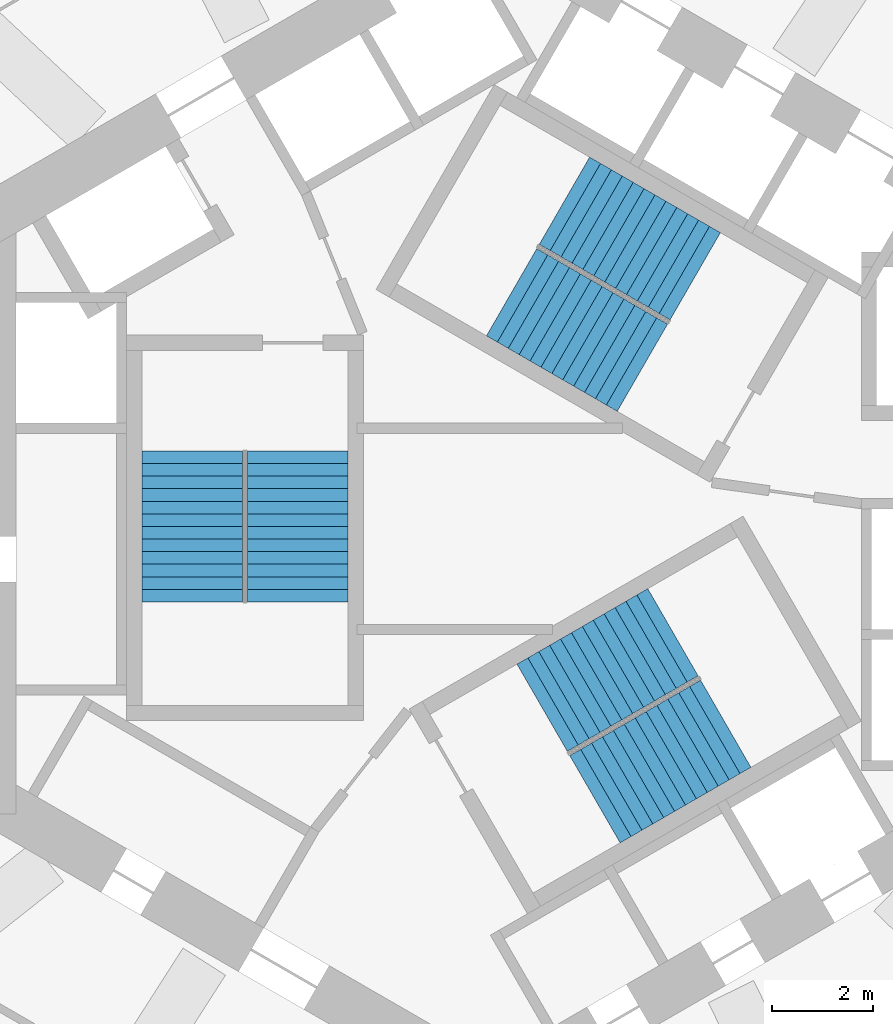
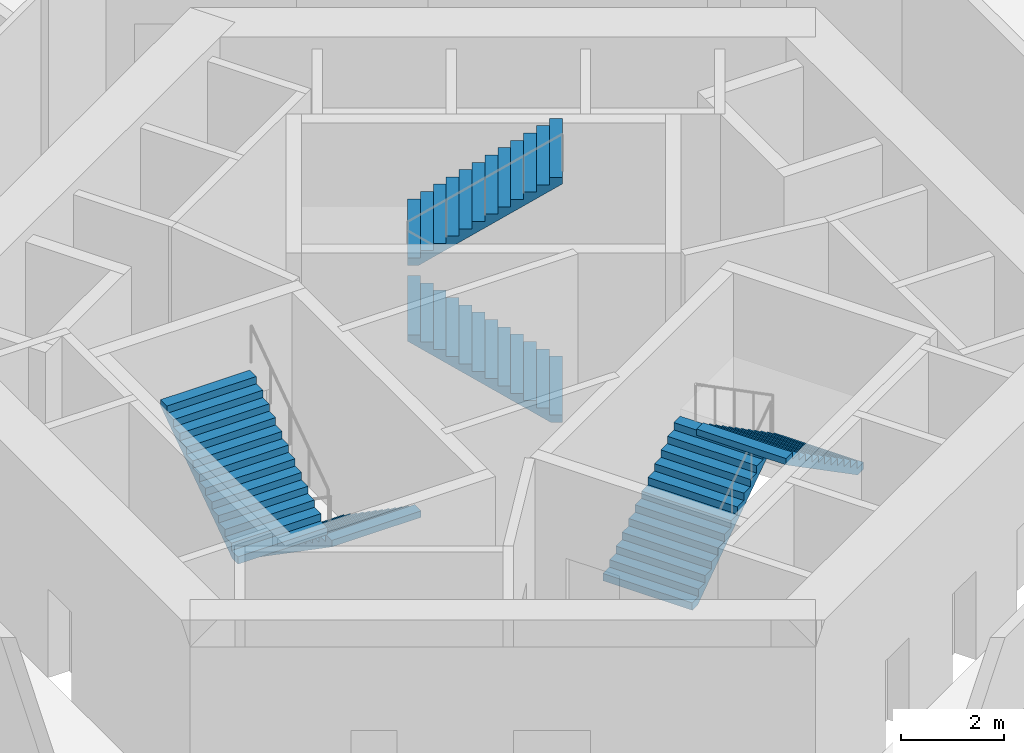
# One storey, part 9 of 15: 6 stair flights, 3 elements without a shape of their own.
"""IFC4 building model written with IfcOpenShell, lengths in metres."""

from ifc_helpers import new_model, si_unit, direction, frame, origin, place, context, subcontext, project, spatial, triangles, source, transform, mapped, material, type_object, element, aggregate, save


model = new_model("IFC4")

# Units and contexts
model_context = context("Model", 3, precision=1e-05, world=origin(), true_north=direction((0.0, 1.0)))
body_context = subcontext(model_context, "Body", "Model", "MODEL_VIEW")
ifc_project = project(units=[si_unit("LENGTHUNIT", "METRE"), si_unit("AREAUNIT", "SQUARE_METRE"), si_unit("VOLUMEUNIT", "CUBIC_METRE"), si_unit("PLANEANGLEUNIT", "RADIAN"), si_unit("MASSUNIT", "GRAM", prefix="KILO")], contexts=[model_context])

# Site, building, storey
site_placement = place(None, origin())
site = spatial("IfcSite", under=ifc_project, at=site_placement, CompositionType="ELEMENT")
building_placement = place(site_placement, origin())
building = spatial("IfcBuilding", under=site, at=building_placement, Name="Vanh Sen Convention Tower", CompositionType="ELEMENT")
storey_placement = place(building_placement, frame((0.0, 0.0, 119.89990234375)))
storey = spatial("IfcBuildingStorey", under=building, at=storey_placement, Name="L29", CompositionType="ELEMENT", Elevation=119.89990234375)

# Stair, stair flights
ifc_material_1 = material(Name="Concrete C50/60", Category="concrete")
stair_type_1 = type_object("IfcStairType", Name="Exit stair ST1 26 risers at 173.1", PredefinedType="HALF_TURN_STAIR", material=ifc_material_1)
stair_1_placement = place(storey_placement, origin())
stair_1 = element("IfcStair", 1, at=stair_1_placement, inside=storey, type_object=stair_type_1, Name="Exit stair ST1 L29", PredefinedType="HALF_TURN_STAIR")
ifc_material_2 = material(Name="Concrete C40/50", Category="concrete")
stair_flight_type = type_object("IfcStairFlightType", Name="Stair flight 2000", PredefinedType="STRAIGHT", material=ifc_material_2)
shared_shape = source(origin(), body_context, "Body", "Tessellation", [
    triangles([(0.219482421875, 1.0, 0.0), (0.0, 1.0, 0.0), (0.0, 1.0, 0.173095703125), (0.25, 1.0, 0.173095703125), (0.25, 1.0, 0.34619140625), (0.5, 1.0, 0.34619140625), (0.5, 1.0, 0.519287109375), (0.75, 1.0, 0.519287109375), (0.75, 1.0, 0.6923828125), (1.0, 1.0, 0.6923828125), (1.0, 1.0, 0.865478515625), (1.25, 1.0, 0.865478515625), (1.25, 1.0, 1.03857421875), (1.5, 1.0, 1.03857421875), (1.5, 1.0, 1.21142578125), (1.75, 1.0, 1.21142578125), (1.75, 1.0, 1.384521484375), (2.0, 1.0, 1.384521484375), (2.0, 1.0, 1.5576171875), (2.25, 1.0, 1.5576171875), (2.25, 1.0, 1.730712890625), (2.5, 1.0, 1.730712890625), (2.5, 1.0, 1.90380859375), (2.75, 1.0, 1.90380859375), (2.75, 1.0, 2.076904296875), (3.0, 1.0, 2.076904296875), (3.0, 1.0, 1.9248046875), (0.219482421875, -1.0, 0.0), (0.0, -1.0, 0.0), (0.0, -1.0, 0.173095703125), (0.25, -1.0, 0.173095703125), (0.25, -1.0, 0.34619140625), (0.5, -1.0, 0.34619140625), (0.5, -1.0, 0.519287109375), (0.75, -1.0, 0.519287109375), (0.75, -1.0, 0.6923828125), (1.0, -1.0, 0.6923828125), (1.0, -1.0, 0.865478515625), (1.25, -1.0, 0.865478515625), (1.25, -1.0, 1.03857421875), (1.5, -1.0, 1.03857421875), (1.5, -1.0, 1.21142578125), (1.75, -1.0, 1.21142578125), (1.75, -1.0, 1.384521484375), (2.0, -1.0, 1.384521484375), (2.0, -1.0, 1.5576171875), (2.25, -1.0, 1.5576171875), (2.25, -1.0, 1.730712890625), (2.5, -1.0, 1.730712890625), (2.5, -1.0, 1.90380859375), (2.75, -1.0, 1.90380859375), (2.75, -1.0, 2.076904296875), (3.0, -1.0, 2.076904296875), (3.0, -1.0, 1.9248046875), (0.0, 0.0400390625, 0.0), (0.0, 0.0390625, 0.0), (0.0, 0.0380859375, 0.0), (0.0, 0.037109375, 0.0), (0.0, 0.035888671875, 0.0), (0.0, 0.034912109375, 0.0), (0.0, 0.033935546875, 0.0), (0.0, 0.032958984375, 0.0), (0.0, 0.031982421875, 0.0), (0.0, 0.031005859375, 0.0), (0.0, 0.030029296875, 0.0), (0.0, 0.029052734375, 0.0), (0.0, 0.028076171875, 0.0), (0.0, 0.027099609375, 0.0), (0.0, 0.02587890625, 0.0), (0.0, 0.02490234375, 0.0), (0.0, 0.02392578125, 0.0), (0.0, 0.02294921875, 0.0), (0.0, 0.02197265625, 0.0), (0.0, 0.02099609375, 0.0), (0.0, 0.02001953125, 0.0), (0.0, 0.01904296875, 0.0), (0.0, 0.01806640625, 0.0), (0.0, 0.01708984375, 0.0), (0.0, 0.01611328125, 0.0), (0.0, 0.014892578125, 0.0), (0.0, 0.013916015625, 0.0), (0.0, 0.012939453125, 0.0), (0.0, 0.011962890625, 0.0), (0.0, 0.010986328125, 0.0), (0.0, 0.010009765625, 0.0), (0.0, 0.009033203125, 0.0), (0.0, 0.008056640625, 0.0), (0.0, 0.007080078125, 0.0), (0.0, 0.006103515625, 0.0), (0.0, 0.0048828125, 0.0), (0.0, 0.00390625, 0.0), (0.0, 0.0029296875, 0.0), (0.0, 0.001953125, 0.0), (0.0, 0.0009765625, 0.0), (0.0, 0.0, 0.0), (0.0, -0.0009765625, 0.0), (0.0, -0.001953125, 0.0), (0.0, -0.0029296875, 0.0), (0.0, -0.00390625, 0.0), (0.0, -0.0048828125, 0.0), (0.0, -0.006103515625, 0.0), (0.0, -0.007080078125, 0.0), (0.0, -0.008056640625, 0.0), (0.0, -0.009033203125, 0.0), (0.0, -0.010009765625, 0.0), (0.0, -0.010986328125, 0.0), (0.0, -0.011962890625, 0.0), (0.0, -0.012939453125, 0.0), (0.0, -0.013916015625, 0.0), (0.0, -0.014892578125, 0.0), (0.0, -0.01611328125, 0.0), (0.0, -0.01708984375, 0.0), (0.0, -0.01806640625, 0.0), (0.0, -0.01904296875, 0.0), (0.0, -0.02001953125, 0.0), (0.0, -0.02099609375, 0.0), (0.0, -0.02197265625, 0.0), (0.0, -0.02294921875, 0.0), (0.0, -0.02392578125, 0.0), (0.0, -0.02490234375, 0.0), (0.0, -0.02587890625, 0.0), (0.0, -0.027099609375, 0.0), (0.0, -0.028076171875, 0.0), (0.0, -0.029052734375, 0.0), (0.0, -0.030029296875, 0.0), (0.0, -0.031005859375, 0.0), (0.0, -0.031982421875, 0.0), (0.0, -0.032958984375, 0.0), (0.0, -0.033935546875, 0.0), (0.0, -0.034912109375, 0.0), (0.0, -0.035888671875, 0.0), (0.0, -0.037109375, 0.0), (0.0, -0.0380859375, 0.0), (0.0, -0.0390625, 0.0), (0.0, -0.0400390625, 0.0), (0.0, 0.0400390625, 0.173095703125), (0.0, 0.0390625, 0.173095703125), (0.0, 0.0380859375, 0.173095703125), (0.0, 0.037109375, 0.173095703125), (0.0, 0.035888671875, 0.173095703125), (0.0, 0.034912109375, 0.173095703125), (0.0, 0.033935546875, 0.173095703125), (0.0, 0.032958984375, 0.173095703125), (0.0, 0.031982421875, 0.173095703125), (0.0, 0.031005859375, 0.173095703125), (0.0, 0.030029296875, 0.173095703125), (0.0, 0.029052734375, 0.173095703125), (0.0, 0.028076171875, 0.173095703125), (0.0, 0.027099609375, 0.173095703125), (0.0, 0.02587890625, 0.173095703125), (0.0, 0.02490234375, 0.173095703125), (0.0, 0.02392578125, 0.173095703125), (0.0, 0.02294921875, 0.173095703125), (0.0, 0.02197265625, 0.173095703125), (0.0, 0.02099609375, 0.173095703125), (0.0, 0.02001953125, 0.173095703125), (0.0, 0.01904296875, 0.173095703125), (0.0, 0.01806640625, 0.173095703125), (0.0, 0.01708984375, 0.173095703125), (0.0, 0.01611328125, 0.173095703125), (0.0, 0.014892578125, 0.173095703125), (0.0, 0.013916015625, 0.173095703125), (0.0, 0.012939453125, 0.173095703125), (0.0, 0.011962890625, 0.173095703125), (0.0, 0.010986328125, 0.173095703125), (0.0, 0.010009765625, 0.173095703125), (0.0, 0.009033203125, 0.173095703125), (0.0, 0.008056640625, 0.173095703125), (0.0, 0.007080078125, 0.173095703125), (0.0, 0.006103515625, 0.173095703125), (0.0, 0.0048828125, 0.173095703125), (0.0, 0.00390625, 0.173095703125), (0.0, 0.0029296875, 0.173095703125), (0.0, 0.001953125, 0.173095703125), (0.0, 0.0009765625, 0.173095703125), (0.0, 0.0, 0.173095703125), (0.0, -0.0009765625, 0.173095703125), (0.0, -0.001953125, 0.173095703125), (0.0, -0.0029296875, 0.173095703125), (0.0, -0.00390625, 0.173095703125), (0.0, -0.0048828125, 0.173095703125), (0.0, -0.006103515625, 0.173095703125), (0.0, -0.007080078125, 0.173095703125), (0.0, -0.008056640625, 0.173095703125), (0.0, -0.009033203125, 0.173095703125), (0.0, -0.010009765625, 0.173095703125), (0.0, -0.010986328125, 0.173095703125), (0.0, -0.011962890625, 0.173095703125), (0.0, -0.012939453125, 0.173095703125), (0.0, -0.013916015625, 0.173095703125), (0.0, -0.014892578125, 0.173095703125), (0.0, -0.01611328125, 0.173095703125), (0.0, -0.01708984375, 0.173095703125), (0.0, -0.01806640625, 0.173095703125), (0.0, -0.01904296875, 0.173095703125), (0.0, -0.02001953125, 0.173095703125), (0.0, -0.02099609375, 0.173095703125), (0.0, -0.02197265625, 0.173095703125), (0.0, -0.02294921875, 0.173095703125), (0.0, -0.02392578125, 0.173095703125), (0.0, -0.02490234375, 0.173095703125), (0.0, -0.02587890625, 0.173095703125), (0.0, -0.027099609375, 0.173095703125), (0.0, -0.028076171875, 0.173095703125), (0.0, -0.029052734375, 0.173095703125), (0.0, -0.030029296875, 0.173095703125), (0.0, -0.031005859375, 0.173095703125), (0.0, -0.031982421875, 0.173095703125), (0.0, -0.032958984375, 0.173095703125), (0.0, -0.033935546875, 0.173095703125), (0.0, -0.034912109375, 0.173095703125), (0.0, -0.035888671875, 0.173095703125), (0.0, -0.037109375, 0.173095703125), (0.0, -0.0380859375, 0.173095703125), (0.0, -0.0390625, 0.173095703125), (0.0, -0.0400390625, 0.173095703125), (0.25, 0.0, 0.173095703125), (0.25, 0.0, 0.34619140625), (0.5, 0.0, 0.34619140625), (0.5, 0.0, 0.519287109375), (0.75, 0.0, 0.519287109375), (0.75, 0.0, 0.6923828125), (1.0, 0.0, 0.6923828125), (1.0, 0.0, 0.865478515625), (1.25, 0.0, 0.865478515625), (1.25, 0.0, 1.03857421875), (1.5, 0.0, 1.03857421875), (1.5, 0.0, 1.21142578125), (1.75, 0.0, 1.21142578125), (1.75, 0.0, 1.384521484375), (2.0, 0.0, 1.384521484375), (2.0, 0.0, 1.5576171875), (2.25, 0.0, 1.5576171875), (2.25, 0.0, 1.730712890625), (2.5, 0.0, 1.730712890625), (2.5, 0.0, 1.90380859375), (2.75, 0.0, 1.90380859375), (2.75, 0.0, 2.076904296875), (3.0, 0.0400390625, 2.076904296875), (3.0, 0.0390625, 2.076904296875), (3.0, 0.0380859375, 2.076904296875), (3.0, 0.037109375, 2.076904296875), (3.0, 0.035888671875, 2.076904296875), (3.0, 0.034912109375, 2.076904296875), (3.0, 0.033935546875, 2.076904296875), (3.0, 0.032958984375, 2.076904296875), (3.0, 0.031982421875, 2.076904296875), (3.0, 0.031005859375, 2.076904296875), (3.0, 0.030029296875, 2.076904296875), (3.0, 0.029052734375, 2.076904296875), (3.0, 0.028076171875, 2.076904296875), (3.0, 0.027099609375, 2.076904296875), (3.0, 0.02587890625, 2.076904296875), (3.0, 0.02490234375, 2.076904296875), (3.0, 0.02392578125, 2.076904296875), (3.0, 0.02294921875, 2.076904296875), (3.0, 0.02197265625, 2.076904296875), (3.0, 0.02099609375, 2.076904296875), (3.0, 0.02001953125, 2.076904296875), (3.0, 0.01904296875, 2.076904296875), (3.0, 0.01806640625, 2.076904296875), (3.0, 0.01708984375, 2.076904296875), (3.0, 0.01611328125, 2.076904296875), (3.0, 0.014892578125, 2.076904296875), (3.0, 0.013916015625, 2.076904296875), (3.0, 0.012939453125, 2.076904296875), (3.0, 0.011962890625, 2.076904296875), (3.0, 0.010986328125, 2.076904296875), (3.0, 0.010009765625, 2.076904296875), (3.0, 0.009033203125, 2.076904296875), (3.0, 0.008056640625, 2.076904296875), (3.0, 0.007080078125, 2.076904296875), (3.0, 0.006103515625, 2.076904296875), (3.0, 0.0048828125, 2.076904296875), (3.0, 0.00390625, 2.076904296875), (3.0, 0.0029296875, 2.076904296875), (3.0, 0.001953125, 2.076904296875), (3.0, 0.0009765625, 2.076904296875), (3.0, 0.0, 2.076904296875), (3.0, -0.0009765625, 2.076904296875), (3.0, -0.001953125, 2.076904296875), (3.0, -0.0029296875, 2.076904296875), (3.0, -0.00390625, 2.076904296875), (3.0, -0.0048828125, 2.076904296875), (3.0, -0.006103515625, 2.076904296875), (3.0, -0.007080078125, 2.076904296875), (3.0, -0.008056640625, 2.076904296875), (3.0, -0.009033203125, 2.076904296875), (3.0, -0.010009765625, 2.076904296875), (3.0, -0.010986328125, 2.076904296875), (3.0, -0.011962890625, 2.076904296875), (3.0, -0.012939453125, 2.076904296875), (3.0, -0.013916015625, 2.076904296875), (3.0, -0.014892578125, 2.076904296875), (3.0, -0.01611328125, 2.076904296875), (3.0, -0.01708984375, 2.076904296875), (3.0, -0.01806640625, 2.076904296875), (3.0, -0.01904296875, 2.076904296875), (3.0, -0.02001953125, 2.076904296875), (3.0, -0.02099609375, 2.076904296875), (3.0, -0.02197265625, 2.076904296875), (3.0, -0.02294921875, 2.076904296875), (3.0, -0.02392578125, 2.076904296875), (3.0, -0.02490234375, 2.076904296875), (3.0, -0.02587890625, 2.076904296875), (3.0, -0.027099609375, 2.076904296875), (3.0, -0.028076171875, 2.076904296875), (3.0, -0.029052734375, 2.076904296875), (3.0, -0.030029296875, 2.076904296875), (3.0, -0.031005859375, 2.076904296875), (3.0, -0.031982421875, 2.076904296875), (3.0, -0.032958984375, 2.076904296875), (3.0, -0.033935546875, 2.076904296875), (3.0, -0.034912109375, 2.076904296875), (3.0, -0.035888671875, 2.076904296875), (3.0, -0.037109375, 2.076904296875), (3.0, -0.0380859375, 2.076904296875), (3.0, -0.0390625, 2.076904296875), (3.0, -0.0400390625, 2.076904296875), (3.0, 0.0400390625, 1.9248046875), (3.0, 0.0390625, 1.9248046875), (3.0, 0.0380859375, 1.9248046875), (3.0, 0.037109375, 1.9248046875), (3.0, 0.035888671875, 1.9248046875), (3.0, 0.034912109375, 1.9248046875), (3.0, 0.033935546875, 1.9248046875), (3.0, 0.032958984375, 1.9248046875), (3.0, 0.031982421875, 1.9248046875), (3.0, 0.031005859375, 1.9248046875), (3.0, 0.030029296875, 1.9248046875), (3.0, 0.029052734375, 1.9248046875), (3.0, 0.028076171875, 1.9248046875), (3.0, 0.027099609375, 1.9248046875), (3.0, 0.02587890625, 1.9248046875), (3.0, 0.02490234375, 1.9248046875), (3.0, 0.02392578125, 1.9248046875), (3.0, 0.02294921875, 1.9248046875), (3.0, 0.02197265625, 1.9248046875), (3.0, 0.02099609375, 1.9248046875), (3.0, 0.02001953125, 1.9248046875), (3.0, 0.01904296875, 1.9248046875), (3.0, 0.01806640625, 1.9248046875), (3.0, 0.01708984375, 1.9248046875), (3.0, 0.01611328125, 1.9248046875), (3.0, 0.014892578125, 1.9248046875), (3.0, 0.013916015625, 1.9248046875), (3.0, 0.012939453125, 1.9248046875), (3.0, 0.011962890625, 1.9248046875), (3.0, 0.010986328125, 1.9248046875), (3.0, 0.010009765625, 1.9248046875), (3.0, 0.009033203125, 1.9248046875), (3.0, 0.008056640625, 1.9248046875), (3.0, 0.007080078125, 1.9248046875), (3.0, 0.006103515625, 1.9248046875), (3.0, 0.0048828125, 1.9248046875), (3.0, 0.00390625, 1.9248046875), (3.0, 0.0029296875, 1.9248046875), (3.0, 0.001953125, 1.9248046875), (3.0, 0.0009765625, 1.9248046875), (3.0, 0.0, 1.9248046875), (3.0, -0.0009765625, 1.9248046875), (3.0, -0.001953125, 1.9248046875), (3.0, -0.0029296875, 1.9248046875), (3.0, -0.00390625, 1.9248046875), (3.0, -0.0048828125, 1.9248046875), (3.0, -0.006103515625, 1.9248046875), (3.0, -0.007080078125, 1.9248046875), (3.0, -0.008056640625, 1.9248046875), (3.0, -0.009033203125, 1.9248046875), (3.0, -0.010009765625, 1.9248046875), (3.0, -0.010986328125, 1.9248046875), (3.0, -0.011962890625, 1.9248046875), (3.0, -0.012939453125, 1.9248046875), (3.0, -0.013916015625, 1.9248046875), (3.0, -0.014892578125, 1.9248046875), (3.0, -0.01611328125, 1.9248046875), (3.0, -0.01708984375, 1.9248046875), (3.0, -0.01806640625, 1.9248046875), (3.0, -0.01904296875, 1.9248046875), (3.0, -0.02001953125, 1.9248046875), (3.0, -0.02099609375, 1.9248046875), (3.0, -0.02197265625, 1.9248046875), (3.0, -0.02294921875, 1.9248046875), (3.0, -0.02392578125, 1.9248046875), (3.0, -0.02490234375, 1.9248046875), (3.0, -0.02587890625, 1.9248046875), (3.0, -0.027099609375, 1.9248046875), (3.0, -0.028076171875, 1.9248046875), (3.0, -0.029052734375, 1.9248046875), (3.0, -0.030029296875, 1.9248046875), (3.0, -0.031005859375, 1.9248046875), (3.0, -0.031982421875, 1.9248046875), (3.0, -0.032958984375, 1.9248046875), (3.0, -0.033935546875, 1.9248046875), (3.0, -0.034912109375, 1.9248046875), (3.0, -0.035888671875, 1.9248046875), (3.0, -0.037109375, 1.9248046875), (3.0, -0.0380859375, 1.9248046875), (3.0, -0.0390625, 1.9248046875), (3.0, -0.0400390625, 1.9248046875), (0.219482421875, 0.0, 0.0)], [[1, 2, 3], [1, 3, 4], [4, 5, 6], [1, 4, 6], [6, 7, 8], [1, 6, 8], [8, 9, 10], [1, 8, 10], [10, 11, 12], [1, 10, 12], [12, 13, 14], [1, 12, 14], [14, 15, 16], [1, 14, 16], [16, 17, 18], [1, 16, 18], [18, 19, 20], [1, 18, 20], [20, 21, 22], [1, 20, 22], [22, 23, 24], [1, 22, 24], [24, 25, 26], [1, 24, 26], [26, 27, 1], [28, 30, 29], [28, 31, 30], [31, 33, 32], [28, 33, 31], [33, 35, 34], [28, 35, 33], [35, 37, 36], [28, 37, 35], [37, 39, 38], [28, 39, 37], [39, 41, 40], [28, 41, 39], [41, 43, 42], [28, 43, 41], [43, 45, 44], [28, 45, 43], [45, 47, 46], [28, 47, 45], [47, 49, 48], [28, 49, 47], [49, 51, 50], [28, 51, 49], [51, 53, 52], [28, 53, 51], [53, 28, 54], [2, 136, 3], [2, 55, 136], [55, 137, 136], [55, 56, 137], [56, 138, 137], [56, 57, 138], [57, 139, 138], [57, 58, 139], [58, 140, 139], [58, 59, 140], [59, 141, 140], [59, 60, 141], [60, 142, 141], [60, 61, 142], [61, 143, 142], [61, 62, 143], [62, 144, 143], [62, 63, 144], [63, 145, 144], [63, 64, 145], [64, 146, 145], [64, 65, 146], [65, 147, 146], [65, 66, 147], [66, 148, 147], [66, 67, 148], [67, 149, 148], [67, 68, 149], [68, 150, 149], [68, 69, 150], [69, 151, 150], [69, 70, 151], [70, 152, 151], [70, 71, 152], [71, 153, 152], [71, 72, 153], [72, 154, 153], [72, 73, 154], [73, 155, 154], [73, 74, 155], [74, 156, 155], [74, 75, 156], [75, 157, 156], [75, 76, 157], [76, 158, 157], [76, 77, 158], [77, 159, 158], [77, 78, 159], [78, 160, 159], [78, 79, 160], [79, 161, 160], [79, 80, 161], [80, 162, 161], [80, 81, 162], [81, 163, 162], [81, 82, 163], [82, 164, 163], [82, 83, 164], [83, 165, 164], [83, 84, 165], [84, 166, 165], [84, 85, 166], [85, 167, 166], [85, 86, 167], [86, 168, 167], [86, 87, 168], [87, 169, 168], [87, 88, 169], [88, 170, 169], [88, 89, 170], [89, 171, 170], [89, 90, 171], [90, 172, 171], [90, 91, 172], [91, 173, 172], [91, 92, 173], [92, 174, 173], [92, 93, 174], [93, 175, 174], [93, 94, 175], [94, 176, 175], [94, 95, 176], [95, 96, 176], [176, 96, 177], [96, 97, 177], [177, 97, 178], [97, 98, 178], [178, 98, 179], [98, 99, 179], [179, 99, 180], [99, 100, 180], [180, 100, 181], [100, 101, 181], [181, 101, 182], [101, 102, 182], [182, 102, 183], [102, 103, 183], [183, 103, 184], [103, 104, 184], [184, 104, 185], [104, 105, 185], [185, 105, 186], [105, 106, 186], [186, 106, 187], [106, 107, 187], [187, 107, 188], [107, 108, 188], [188, 108, 189], [108, 109, 189], [189, 109, 190], [109, 110, 190], [190, 110, 191], [110, 111, 191], [191, 111, 192], [111, 112, 192], [192, 112, 193], [112, 113, 193], [193, 113, 194], [113, 114, 194], [194, 114, 195], [114, 115, 195], [195, 115, 196], [115, 116, 196], [196, 116, 197], [116, 117, 197], [197, 117, 198], [117, 118, 198], [198, 118, 199], [118, 119, 199], [199, 119, 200], [119, 120, 200], [200, 120, 201], [120, 121, 201], [201, 121, 202], [121, 122, 202], [202, 122, 203], [122, 123, 203], [203, 123, 204], [123, 124, 204], [204, 124, 205], [124, 125, 205], [205, 125, 206], [125, 126, 206], [206, 126, 207], [126, 127, 207], [207, 127, 208], [127, 128, 208], [208, 128, 209], [128, 129, 209], [209, 129, 210], [129, 130, 210], [210, 130, 211], [130, 131, 211], [211, 131, 212], [131, 132, 212], [212, 132, 213], [132, 133, 213], [213, 133, 214], [133, 134, 214], [214, 134, 215], [134, 135, 215], [215, 135, 216], [135, 29, 216], [216, 29, 30], [4, 3, 136], [4, 136, 137], [4, 137, 138], [4, 138, 139], [4, 139, 140], [4, 140, 141], [4, 141, 142], [4, 142, 143], [4, 143, 144], [4, 144, 145], [4, 145, 146], [4, 146, 147], [4, 147, 148], [4, 148, 149], [4, 149, 150], [4, 150, 151], [4, 151, 152], [4, 152, 153], [4, 153, 154], [4, 154, 155], [4, 155, 156], [4, 156, 157], [4, 157, 158], [4, 158, 159], [4, 159, 160], [4, 160, 161], [4, 161, 162], [4, 162, 163], [4, 163, 164], [4, 164, 165], [4, 165, 166], [4, 166, 167], [4, 167, 168], [4, 168, 169], [4, 169, 170], [4, 170, 171], [4, 171, 172], [4, 172, 173], [4, 173, 174], [4, 174, 175], [4, 175, 176], [31, 176, 177], [31, 177, 178], [31, 178, 179], [31, 179, 180], [31, 180, 181], [31, 181, 182], [31, 182, 183], [31, 183, 184], [31, 184, 185], [31, 185, 186], [31, 186, 187], [31, 187, 188], [31, 188, 189], [31, 189, 190], [31, 190, 191], [31, 191, 192], [31, 192, 193], [31, 193, 194], [31, 194, 195], [31, 195, 196], [31, 196, 197], [31, 197, 198], [31, 198, 199], [31, 199, 200], [31, 200, 201], [31, 201, 202], [31, 202, 203], [31, 203, 204], [31, 204, 205], [31, 205, 206], [31, 206, 207], [31, 207, 208], [31, 208, 209], [31, 209, 210], [31, 210, 211], [31, 211, 212], [31, 212, 213], [31, 213, 214], [31, 214, 215], [31, 215, 216], [31, 216, 30], [4, 176, 217], [31, 217, 176], [4, 218, 5], [4, 217, 218], [217, 31, 218], [218, 31, 32], [5, 219, 6], [5, 218, 219], [218, 32, 219], [219, 32, 33], [6, 220, 7], [6, 219, 220], [219, 33, 220], [220, 33, 34], [7, 221, 8], [7, 220, 221], [220, 34, 221], [221, 34, 35], [8, 222, 9], [8, 221, 222], [221, 35, 222], [222, 35, 36], [9, 223, 10], [9, 222, 223], [222, 36, 223], [223, 36, 37], [10, 224, 11], [10, 223, 224], [223, 37, 224], [224, 37, 38], [11, 225, 12], [11, 224, 225], [224, 38, 225], [225, 38, 39], [12, 226, 13], [12, 225, 226], [225, 39, 226], [226, 39, 40], [13, 227, 14], [13, 226, 227], [226, 40, 227], [227, 40, 41], [14, 228, 15], [14, 227, 228], [227, 41, 228], [228, 41, 42], [15, 229, 16], [15, 228, 229], [228, 42, 229], [229, 42, 43], [16, 230, 17], [16, 229, 230], [229, 43, 230], [230, 43, 44], [17, 231, 18], [17, 230, 231], [230, 44, 231], [231, 44, 45], [18, 232, 19], [18, 231, 232], [231, 45, 232], [232, 45, 46], [19, 233, 20], [19, 232, 233], [232, 46, 233], [233, 46, 47], [20, 234, 21], [20, 233, 234], [233, 47, 234], [234, 47, 48], [21, 235, 22], [21, 234, 235], [234, 48, 235], [235, 48, 49], [22, 236, 23], [22, 235, 236], [235, 49, 236], [236, 49, 50], [23, 237, 24], [23, 236, 237], [236, 50, 237], [237, 50, 51], [24, 238, 25], [24, 237, 238], [237, 51, 238], [238, 51, 52], [25, 239, 26], [25, 240, 239], [25, 241, 240], [25, 242, 241], [25, 243, 242], [25, 244, 243], [25, 245, 244], [25, 246, 245], [25, 247, 246], [25, 248, 247], [25, 249, 248], [25, 250, 249], [25, 251, 250], [25, 252, 251], [25, 253, 252], [25, 254, 253], [25, 255, 254], [25, 256, 255], [25, 257, 256], [25, 258, 257], [25, 259, 258], [25, 260, 259], [25, 261, 260], [25, 262, 261], [25, 263, 262], [25, 264, 263], [25, 265, 264], [25, 266, 265], [25, 267, 266], [25, 268, 267], [25, 269, 268], [25, 270, 269], [25, 271, 270], [25, 272, 271], [25, 273, 272], [25, 274, 273], [25, 275, 274], [25, 276, 275], [25, 277, 276], [25, 278, 277], [25, 279, 278], [52, 280, 279], [52, 281, 280], [52, 282, 281], [52, 283, 282], [52, 284, 283], [52, 285, 284], [52, 286, 285], [52, 287, 286], [52, 288, 287], [52, 289, 288], [52, 290, 289], [52, 291, 290], [52, 292, 291], [52, 293, 292], [52, 294, 293], [52, 295, 294], [52, 296, 295], [52, 297, 296], [52, 298, 297], [52, 299, 298], [52, 300, 299], [52, 301, 300], [52, 302, 301], [52, 303, 302], [52, 304, 303], [52, 305, 304], [52, 306, 305], [52, 307, 306], [52, 308, 307], [52, 309, 308], [52, 310, 309], [52, 311, 310], [52, 312, 311], [52, 313, 312], [52, 314, 313], [52, 315, 314], [52, 316, 315], [52, 317, 316], [52, 318, 317], [52, 319, 318], [52, 53, 319], [25, 238, 279], [52, 279, 238], [26, 320, 27], [26, 239, 320], [239, 321, 320], [239, 240, 321], [240, 322, 321], [240, 241, 322], [241, 323, 322], [241, 242, 323], [242, 324, 323], [242, 243, 324], [243, 325, 324], [243, 244, 325], [244, 326, 325], [244, 245, 326], [245, 327, 326], [245, 246, 327], [246, 328, 327], [246, 247, 328], [247, 329, 328], [247, 248, 329], [248, 330, 329], [248, 249, 330], [249, 331, 330], [249, 250, 331], [250, 332, 331], [250, 251, 332], [251, 333, 332], [251, 252, 333], [252, 334, 333], [252, 253, 334], [253, 335, 334], [253, 254, 335], [254, 336, 335], [254, 255, 336], [255, 337, 336], [255, 256, 337], [256, 338, 337], [256, 257, 338], [257, 339, 338], [257, 258, 339], [258, 340, 339], [258, 259, 340], [259, 341, 340], [259, 260, 341], [260, 342, 341], [260, 261, 342], [261, 343, 342], [261, 262, 343], [262, 344, 343], [262, 263, 344], [263, 345, 344], [263, 264, 345], [264, 346, 345], [264, 265, 346], [265, 347, 346], [265, 266, 347], [266, 348, 347], [266, 267, 348], [267, 349, 348], [267, 268, 349], [268, 350, 349], [268, 269, 350], [269, 351, 350], [269, 270, 351], [270, 352, 351], [270, 271, 352], [271, 353, 352], [271, 272, 353], [272, 354, 353], [272, 273, 354], [273, 355, 354], [273, 274, 355], [274, 356, 355], [274, 275, 356], [275, 357, 356], [275, 276, 357], [276, 358, 357], [276, 277, 358], [277, 359, 358], [277, 278, 359], [278, 360, 359], [278, 279, 360], [279, 280, 360], [360, 280, 361], [280, 281, 361], [361, 281, 362], [281, 282, 362], [362, 282, 363], [282, 283, 363], [363, 283, 364], [283, 284, 364], [364, 284, 365], [284, 285, 365], [365, 285, 366], [285, 286, 366], [366, 286, 367], [286, 287, 367], [367, 287, 368], [287, 288, 368], [368, 288, 369], [288, 289, 369], [369, 289, 370], [289, 290, 370], [370, 290, 371], [290, 291, 371], [371, 291, 372], [291, 292, 372], [372, 292, 373], [292, 293, 373], [373, 293, 374], [293, 294, 374], [374, 294, 375], [294, 295, 375], [375, 295, 376], [295, 296, 376], [376, 296, 377], [296, 297, 377], [377, 297, 378], [297, 298, 378], [378, 298, 379], [298, 299, 379], [379, 299, 380], [299, 300, 380], [380, 300, 381], [300, 301, 381], [381, 301, 382], [301, 302, 382], [382, 302, 383], [302, 303, 383], [383, 303, 384], [303, 304, 384], [384, 304, 385], [304, 305, 385], [385, 305, 386], [305, 306, 386], [386, 306, 387], [306, 307, 387], [387, 307, 388], [307, 308, 388], [388, 308, 389], [308, 309, 389], [389, 309, 390], [309, 310, 390], [390, 310, 391], [310, 311, 391], [391, 311, 392], [311, 312, 392], [392, 312, 393], [312, 313, 393], [393, 313, 394], [313, 314, 394], [394, 314, 395], [314, 315, 395], [395, 315, 396], [315, 316, 396], [396, 316, 397], [316, 317, 397], [397, 317, 398], [317, 318, 398], [398, 318, 399], [318, 319, 399], [399, 319, 400], [319, 53, 400], [400, 53, 54], [1, 27, 320], [1, 320, 321], [1, 321, 322], [1, 322, 323], [1, 323, 324], [1, 324, 325], [1, 325, 326], [1, 326, 327], [1, 327, 328], [1, 328, 329], [1, 329, 330], [1, 330, 331], [1, 331, 332], [1, 332, 333], [1, 333, 334], [1, 334, 335], [1, 335, 336], [1, 336, 337], [1, 337, 338], [1, 338, 339], [1, 339, 340], [1, 340, 341], [1, 341, 342], [1, 342, 343], [1, 343, 344], [1, 344, 345], [1, 345, 346], [1, 346, 347], [1, 347, 348], [1, 348, 349], [1, 349, 350], [1, 350, 351], [1, 351, 352], [1, 352, 353], [1, 353, 354], [1, 354, 355], [1, 355, 356], [1, 356, 357], [1, 357, 358], [1, 358, 359], [1, 359, 360], [28, 360, 361], [28, 361, 362], [28, 362, 363], [28, 363, 364], [28, 364, 365], [28, 365, 366], [28, 366, 367], [28, 367, 368], [28, 368, 369], [28, 369, 370], [28, 370, 371], [28, 371, 372], [28, 372, 373], [28, 373, 374], [28, 374, 375], [28, 375, 376], [28, 376, 377], [28, 377, 378], [28, 378, 379], [28, 379, 380], [28, 380, 381], [28, 381, 382], [28, 382, 383], [28, 383, 384], [28, 384, 385], [28, 385, 386], [28, 386, 387], [28, 387, 388], [28, 388, 389], [28, 389, 390], [28, 390, 391], [28, 391, 392], [28, 392, 393], [28, 393, 394], [28, 394, 395], [28, 395, 396], [28, 396, 397], [28, 397, 398], [28, 398, 399], [28, 399, 400], [28, 400, 54], [1, 360, 401], [28, 401, 360], [1, 55, 2], [1, 56, 55], [1, 57, 56], [1, 58, 57], [1, 59, 58], [1, 60, 59], [1, 61, 60], [1, 62, 61], [1, 63, 62], [1, 64, 63], [1, 65, 64], [1, 66, 65], [1, 67, 66], [1, 68, 67], [1, 69, 68], [1, 70, 69], [1, 71, 70], [1, 72, 71], [1, 73, 72], [1, 74, 73], [1, 75, 74], [1, 76, 75], [1, 77, 76], [1, 78, 77], [1, 79, 78], [1, 80, 79], [1, 81, 80], [1, 82, 81], [1, 83, 82], [1, 84, 83], [1, 85, 84], [1, 86, 85], [1, 87, 86], [1, 88, 87], [1, 89, 88], [1, 90, 89], [1, 91, 90], [1, 92, 91], [1, 93, 92], [1, 94, 93], [1, 95, 94], [28, 96, 95], [28, 97, 96], [28, 98, 97], [28, 99, 98], [28, 100, 99], [28, 101, 100], [28, 102, 101], [28, 103, 102], [28, 104, 103], [28, 105, 104], [28, 106, 105], [28, 107, 106], [28, 108, 107], [28, 109, 108], [28, 110, 109], [28, 111, 110], [28, 112, 111], [28, 113, 112], [28, 114, 113], [28, 115, 114], [28, 116, 115], [28, 117, 116], [28, 118, 117], [28, 119, 118], [28, 120, 119], [28, 121, 120], [28, 122, 121], [28, 123, 122], [28, 124, 123], [28, 125, 124], [28, 126, 125], [28, 127, 126], [28, 128, 127], [28, 129, 128], [28, 130, 129], [28, 131, 130], [28, 132, 131], [28, 133, 132], [28, 134, 133], [28, 135, 134], [28, 29, 135], [1, 401, 95], [28, 95, 401]], closed=True),
])
stair_flight_1_placement = place(storey_placement, frame((2.94580078125, 2.802490234375, 0.0), z_axis=(0.0, 0.0, 1.0), x_axis=(-0.866025403784, 0.5, 0.0)))
stair_flight_1 = element("IfcStairFlight", 2, at=stair_flight_1_placement, type_object=stair_flight_type, Name="ST1 flight 1", NumberOfRisers=13, NumberOfTreads=12, PredefinedType="STRAIGHT", RiserHeight=0.173076923, TreadLength=0.25, context=body_context, shape_type="MappedRepresentation", body=[
    mapped(shared_shape, transform((0.0, 0.0, 0.0))),
])
stair_flight_2_placement = place(storey_placement, frame((1.39794921875, 6.12109375, 2.25), z_axis=(0.0, 0.0, 1.0), x_axis=(0.866025403784, -0.5, 0.0)))
stair_flight_2 = element("IfcStairFlight", 3, at=stair_flight_2_placement, type_object=stair_flight_type, Name="ST1 flight 2", NumberOfRisers=13, NumberOfTreads=12, PredefinedType="STRAIGHT", RiserHeight=0.173076923, TreadLength=0.25, context=body_context, shape_type="MappedRepresentation", body=[
    mapped(shared_shape, transform((0.0, 0.0, 0.0))),
])
aggregate(stair_1, [stair_flight_1, stair_flight_2])

stair_type_2 = type_object("IfcStairType", Name="Exit stair ST2 26 risers at 173.1", PredefinedType="HALF_TURN_STAIR", material=ifc_material_1)
stair_2_placement = place(storey_placement, origin())
stair_2 = element("IfcStair", 4, at=stair_2_placement, inside=storey, type_object=stair_type_2, Name="Exit stair ST2 L29", PredefinedType="HALF_TURN_STAIR")
stair_flight_3_placement = place(storey_placement, frame((-3.89990234375, 1.14990234375, 0.0), z_axis=(0.0, 0.0, 1.0), x_axis=(0.0, -1.0, 0.0)))
stair_flight_3 = element("IfcStairFlight", 5, at=stair_flight_3_placement, type_object=stair_flight_type, Name="ST2 flight 1", NumberOfRisers=13, NumberOfTreads=12, PredefinedType="STRAIGHT", RiserHeight=0.173076923, TreadLength=0.25, context=body_context, shape_type="MappedRepresentation", body=[
    mapped(shared_shape, transform((0.0, 0.0, 0.0))),
])
stair_flight_4_placement = place(storey_placement, frame((-6.0, -1.85009765625, 2.25), z_axis=(0.0, 0.0, 1.0), x_axis=(0.0, 1.0, 0.0)))
stair_flight_4 = element("IfcStairFlight", 6, at=stair_flight_4_placement, type_object=stair_flight_type, Name="ST2 flight 2", NumberOfRisers=13, NumberOfTreads=12, PredefinedType="STRAIGHT", RiserHeight=0.173076923, TreadLength=0.25, context=body_context, shape_type="MappedRepresentation", body=[
    mapped(shared_shape, transform((0.0, 0.0, 0.0))),
])
aggregate(stair_2, [stair_flight_3, stair_flight_4])

stair_type_3 = type_object("IfcStairType", Name="Exit stair ST3 26 risers at 173.1", PredefinedType="HALF_TURN_STAIR", material=ifc_material_1)
stair_3_placement = place(storey_placement, origin())
stair_3 = element("IfcStair", 7, at=stair_3_placement, inside=storey, type_object=stair_type_3, Name="Exit stair ST3 L29", PredefinedType="HALF_TURN_STAIR")
stair_flight_5_placement = place(storey_placement, frame((0.9541015625, -3.952392578125, 0.0), z_axis=(0.0, 0.0, 1.0), x_axis=(0.866025403784, 0.5, 0.0)))
stair_flight_5 = element("IfcStairFlight", 8, at=stair_flight_5_placement, type_object=stair_flight_type, Name="ST3 flight 1", NumberOfRisers=13, NumberOfTreads=12, PredefinedType="STRAIGHT", RiserHeight=0.173076923, TreadLength=0.25, context=body_context, shape_type="MappedRepresentation", body=[
    mapped(shared_shape, transform((0.0, 0.0, 0.0))),
])
stair_flight_6_placement = place(storey_placement, frame((4.60205078125, -4.271240234375, 2.25), z_axis=(0.0, 0.0, 1.0), x_axis=(-0.866025403784, -0.5, 0.0)))
stair_flight_6 = element("IfcStairFlight", 9, at=stair_flight_6_placement, type_object=stair_flight_type, Name="ST3 flight 2", NumberOfRisers=13, NumberOfTreads=12, PredefinedType="STRAIGHT", RiserHeight=0.173076923, TreadLength=0.25, context=body_context, shape_type="MappedRepresentation", body=[
    mapped(shared_shape, transform((0.0, 0.0, 0.0))),
])
aggregate(stair_3, [stair_flight_5, stair_flight_6])

save(model, "model.ifc")
